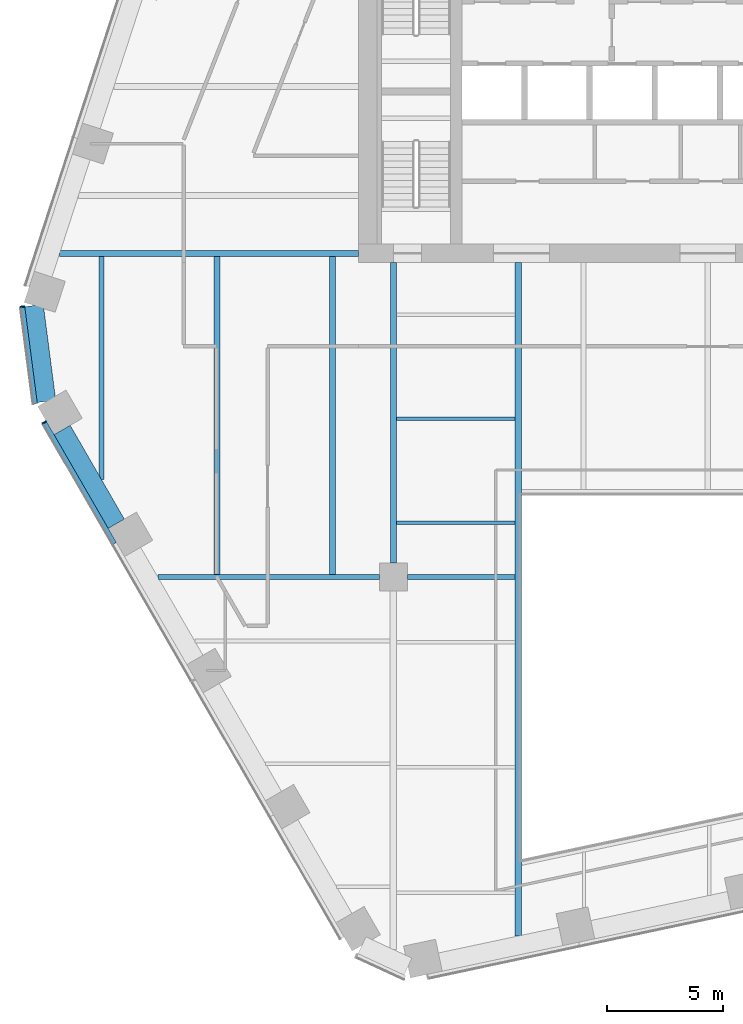
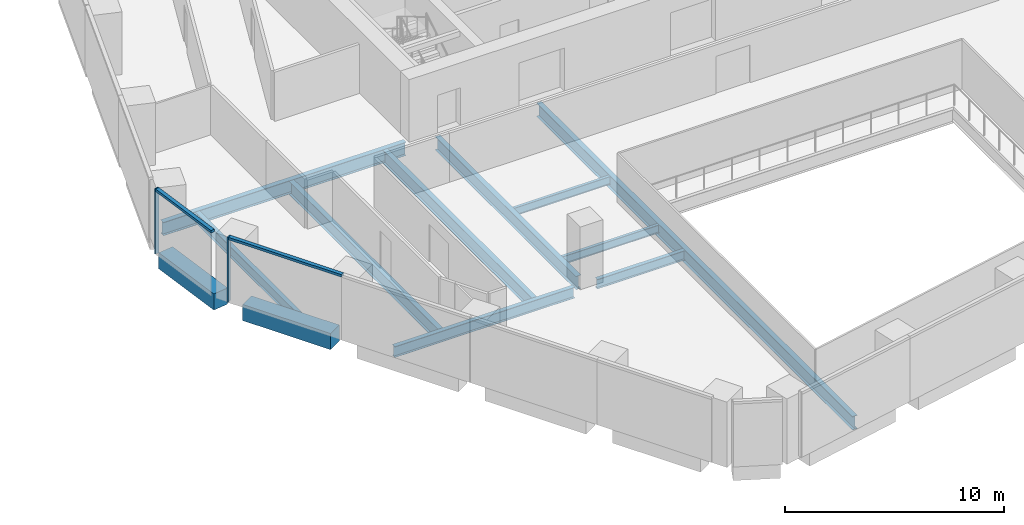
# One storey, part 3 of 16: 12 beams, 4 members, 2 elements without a shape of their own.
"""IFC4 building model written with IfcOpenShell, lengths in metres."""

import ifcopenshell
import ifcopenshell.guid

model = None  # the IFC model being written
_history = None  # IfcOwnerHistory: only IFC2X3 demands one
_inside = {}  # id of a spatial element -> (the spatial element, [elements in it])
_under = {}  # id of a project, library or spatial element -> (it, [spatial elements below it])
_declared = {}  # id of a project -> (the project, [libraries it declares])
_typed = {}  # id of a type object -> (the type object, [elements of that type])
_made_of = {}  # id of a material, layer set ... -> (it, [elements and type objects made of it])


def new_model(schema):
    """Start an empty IFC model of exactly this schema.

    Asked for "IFC4X3", IfcOpenShell would pick the latest addendum, in which some entities
    have other attributes; the version numbers below select the first issue.
    IFC2X3 requires an IfcOwnerHistory on every rooted entity: one is made here for all.
    """
    global model, _history
    if schema == "IFC4X3":
        model = ifcopenshell.file(schema_version=(4, 3, 0, 0))
    else:
        model = ifcopenshell.file(schema=schema)
    _inside.clear()
    _under.clear()
    _declared.clear()
    _typed.clear()
    _made_of.clear()
    _history = None
    if model.schema == "IFC2X3":
        org = make("IfcOrganization", Name="unknown")
        user = make(
            "IfcPersonAndOrganization",
            ThePerson=make("IfcPerson", FamilyName="unknown"),
            TheOrganization=org,
        )
        app = make(
            "IfcApplication",
            ApplicationDeveloper=org,
            Version="unknown",
            ApplicationFullName="unknown",
            ApplicationIdentifier="unknown",
        )
        _history = make(
            "IfcOwnerHistory",
            OwningUser=user,
            OwningApplication=app,
            ChangeAction="ADDED",
            CreationDate=0,
        )
    return model


def make(cls, **values):
    """One entity of the class cls with the attributes given. An attribute that is None is left unset."""
    return model.create_entity(
        cls, **{name: value for name, value in values.items() if value is not None}
    )


def rooted(cls, **values):
    """An entity with a GlobalId (a new one), such as an element, a storey or a relation."""
    return make(cls, GlobalId=ifcopenshell.guid.new(), OwnerHistory=_history, **values)


def si_unit(unit_type, name, prefix=None):
    """IfcSIUnit, for example si_unit("LENGTHUNIT", "METRE", prefix="MILLI")."""
    return make("IfcSIUnit", UnitType=unit_type, Prefix=prefix, Name=name)


def assignment(units):
    """IfcUnitAssignment: the units of a project."""
    return None if units is None else make("IfcUnitAssignment", Units=units)


def point(xyz):
    """IfcCartesianPoint."""
    return None if xyz is None else make("IfcCartesianPoint", Coordinates=xyz)


def direction(xyz):
    """IfcDirection."""
    return None if xyz is None else make("IfcDirection", DirectionRatios=xyz)


def frame(location, z_axis=None, x_axis=None):
    """IfcAxis2Placement3D, a coordinate frame: its origin and axes. An axis left out is left unset."""
    return make(
        "IfcAxis2Placement3D",
        Location=point(location),
        Axis=direction(z_axis),
        RefDirection=direction(x_axis),
    )


def frame_2d(location, x_axis=None):
    """IfcAxis2Placement2D, a coordinate frame in the plane: its origin and x axis."""
    return make(
        "IfcAxis2Placement2D", Location=point(location), RefDirection=direction(x_axis)
    )


def origin():
    """The frame at (0, 0, 0) with its axes left unset."""
    return frame((0.0, 0.0, 0.0))


def origin_2d():
    """The frame at (0, 0) in the plane with its x axis left unset."""
    return frame_2d((0.0, 0.0))


def place(relative_to, where):
    """IfcLocalPlacement: puts the frame where relative to a parent placement (None: the world)."""
    return make(
        "IfcLocalPlacement", PlacementRelTo=relative_to, RelativePlacement=where
    )


def context(
    kind, dimensions, precision=None, world=None, true_north=None, identifier=None
):
    """IfcGeometricRepresentationContext, for example the 3D "Model" context."""
    return make(
        "IfcGeometricRepresentationContext",
        ContextIdentifier=identifier,
        ContextType=kind,
        CoordinateSpaceDimension=dimensions,
        Precision=precision,
        WorldCoordinateSystem=world,
        TrueNorth=true_north,
    )


def subcontext(parent, identifier, kind, view, scale=None):
    """IfcGeometricRepresentationSubContext, for example "Body" below "Model"."""
    return make(
        "IfcGeometricRepresentationSubContext",
        ContextIdentifier=identifier,
        ContextType=kind,
        ParentContext=parent,
        TargetScale=scale,
        TargetView=view,
    )


def project(units=None, contexts=None):
    """IfcProject with its units and contexts."""
    return rooted(
        "IfcProject",
        Name="project",
        RepresentationContexts=contexts,
        UnitsInContext=assignment(units),
    )


def spatial(cls, under=None, at=None, **own):
    """A site, building, storey or space (cls), placed at a placement, below another one or the project."""
    s = rooted(cls, ObjectPlacement=at, **own)
    if under is not None:
        _under.setdefault(under.id(), (under, []))[1].append(s)
    return s


def profile(cls, at=None, kind="AREA", **sizes):
    """A parametric profile (cls). Its sizes go by their IFC names, for example OverallWidth=200.0."""
    return make(cls, ProfileType=kind, Position=at, **sizes)


def rectangle(**sizes):
    """IfcRectangleProfileDef."""
    return profile("IfcRectangleProfileDef", **sizes)


def i_section(**sizes):
    """IfcIShapeProfileDef."""
    return profile("IfcIShapeProfileDef", **sizes)


def extrude(swept, where, along, depth):
    """IfcExtrudedAreaSolid: the profile swept, set in the frame where, extruded along a direction by depth."""
    return make(
        "IfcExtrudedAreaSolid",
        SweptArea=swept,
        Position=where,
        ExtrudedDirection=direction(along),
        Depth=depth,
    )


def shape(context_of_items, identifier, shape_type, items):
    """IfcShapeRepresentation: the items that make up one representation, for example the "Body"."""
    return make(
        "IfcShapeRepresentation",
        ContextOfItems=context_of_items,
        RepresentationIdentifier=identifier,
        RepresentationType=shape_type,
        Items=items,
    )


def material(Name=None, Category=None):
    """IfcMaterial."""
    return make("IfcMaterial", Name=Name, Category=Category)


def layer(
    of_material, thickness, ventilated=None, Name=None, Category=None, Priority=None
):
    """IfcMaterialLayer: one layer of a wall or slab, of a material (None: an air gap)."""
    return make(
        "IfcMaterialLayer",
        Material=of_material,
        LayerThickness=thickness,
        IsVentilated=ventilated,
        Name=Name,
        Category=Category,
        Priority=Priority,
    )


def layer_set(layers, Name=None):
    """IfcMaterialLayerSet."""
    return make("IfcMaterialLayerSet", MaterialLayers=layers, LayerSetName=Name)


def material_profile(
    of_material, cross_section, Name=None, Category=None, Priority=None
):
    """IfcMaterialProfile: a cross section and its material."""
    return make(
        "IfcMaterialProfile",
        Name=Name,
        Material=of_material,
        Profile=cross_section,
        Priority=Priority,
        Category=Category,
    )


def profile_set(profiles, Name=None, composite=None):
    """IfcMaterialProfileSet."""
    return make(
        "IfcMaterialProfileSet",
        Name=Name,
        MaterialProfiles=profiles,
        CompositeProfile=composite,
    )


def made_of(thing, what):
    """Note that an element or type object is made of a material, layer set ...; save() writes the relation."""
    if what is not None:
        _made_of.setdefault(what.id(), (what, []))[1].append(thing)
    return thing


def type_object(cls, material=None, **own):
    """A type object (cls), such as IfcWallType, which elements share."""
    return made_of(rooted(cls, **own), material)


def element(
    cls,
    number,
    at=None,
    inside=None,
    cuts=None,
    type_object=None,
    material=None,
    context=None,
    identifier="Body",
    shape_type=None,
    held_by="IfcProductDefinitionShape",
    body=None,
    shapes=None,
    **own,
):
    """One element of the class cls, such as IfcWall. Its Tag is "e" and its number.

    at: its placement. inside: the storey or other place that contains it. cuts: it is an
    opening in that element (IfcRelVoidsElement). A single representation is given by context,
    identifier, shape_type and body (its items); several are given by shapes. held_by: the class
    of the entity that holds the representations. save() writes the other relations.
    """
    e = rooted(cls, Tag="e%d" % number, ObjectPlacement=at, **own)
    if body is not None:
        shapes = [shape(context, identifier, shape_type, body)]
    if shapes is not None:
        e.Representation = make(held_by, Representations=shapes)
    if inside is not None:
        _inside.setdefault(inside.id(), (inside, []))[1].append(e)
    if cuts is not None:
        rooted(
            "IfcRelVoidsElement", RelatingBuildingElement=cuts, RelatedOpeningElement=e
        )
    if type_object is not None:
        _typed.setdefault(type_object.id(), (type_object, []))[1].append(e)
    return made_of(e, material)


def aggregate(whole, parts):
    """IfcRelAggregates: a whole, such as a stair, and the parts it consists of."""
    return rooted("IfcRelAggregates", RelatingObject=whole, RelatedObjects=parts)


def save(model, path):
    """Write the relations noted so far, then the file.

    IfcRelAggregates (storeys below a building ...), IfcRelContainedInSpatialStructure (elements
    in a storey), IfcRelDefinesByType, IfcRelAssociatesMaterial and IfcRelDeclares: one each for
    every whole, place, type object, material and project.
    """
    for whole, parts in _under.values():
        aggregate(whole, parts)
    for where, things in _inside.values():
        rooted(
            "IfcRelContainedInSpatialStructure",
            RelatedElements=things,
            RelatingStructure=where,
        )
    for kind, things in _typed.values():
        rooted("IfcRelDefinesByType", RelatedObjects=things, RelatingType=kind)
    for what, things in _made_of.values():
        rooted("IfcRelAssociatesMaterial", RelatedObjects=things, RelatingMaterial=what)
    for by, libraries in _declared.values():
        rooted("IfcRelDeclares", RelatingContext=by, RelatedDefinitions=libraries)
    model.write(path)


model = new_model("IFC4")

# Units and contexts
model_context = context("Model", 3, precision=1e-05, world=origin(), true_north=direction((0.0, 1.0)))
body_context = subcontext(model_context, "Body", "Model", "MODEL_VIEW")
ifc_project = project(units=[si_unit("LENGTHUNIT", "METRE"), si_unit("AREAUNIT", "SQUARE_METRE"), si_unit("VOLUMEUNIT", "CUBIC_METRE"), si_unit("PLANEANGLEUNIT", "RADIAN"), si_unit("MASSUNIT", "GRAM", prefix="KILO")], contexts=[model_context])

# Site, building, storey
site_placement = place(None, origin())
site = spatial("IfcSite", under=ifc_project, at=site_placement, CompositionType="ELEMENT")
building_placement = place(site_placement, origin())
building = spatial("IfcBuilding", under=site, at=building_placement, Name="Isthmus Gate Tower", CompositionType="ELEMENT")
storey_placement = place(building_placement, frame((0.0, 0.0, 133.449951171875)))
storey = spatial("IfcBuildingStorey", under=building, at=storey_placement, Name="L32", CompositionType="ELEMENT", Elevation=133.449951171875)

# Curtain wall, member
ifc_material_1 = material(Name="Aluminium, pale champagne anodised", Category="aluminium")
ifc_layer = layer(ifc_material_1, 0.199951171875)
ifc_layer_set = layer_set([ifc_layer], Name="CW-1 UNITISED CURTAIN WALL 200 DEEP")
curtain_wall_type = type_object("IfcCurtainWallType", Name="CW-1 UNITISED CURTAIN WALL 200 DEEP", PredefinedType="NOTDEFINED", material=ifc_layer_set)
curtain_wall_1_placement = place(storey_placement, origin())
curtain_wall_1 = element("IfcCurtainWall", 1, at=curtain_wall_1_placement, inside=storey, type_object=curtain_wall_type, Name="CW-1 NW-SW L32", PredefinedType="NOTDEFINED")
ifc_material_2 = material(Name="Aluminium, pale champagne anodised", Category="aluminium")
ifc_material_profile_1 = material_profile(ifc_material_2, rectangle(XDim=0.06005859375, YDim=0.199951171875, at=origin_2d()), Name="60x200")
ifc_profile_set_1 = profile_set([ifc_material_profile_1], Name="Aluminium, pale champagne anodised")
member_type_1 = type_object("IfcMemberType", Name="CW-1 MULLION 60 X 200", PredefinedType="MULLION", material=ifc_profile_set_1)
member_1_placement = place(storey_placement, frame((-29.42724609375, -1.88525390625, 0.0), z_axis=(0.0, 0.0, 1.0), x_axis=(0.129164534, -0.991623175988, 0.0)))
member_1 = element("IfcMember", 2, at=member_1_placement, type_object=member_type_1, Name="CW-1 mullion", PredefinedType="MULLION", context=body_context, shape_type="SweptSolid", body=[
    extrude(rectangle(XDim=0.06005859375, YDim=0.199951171875, at=origin_2d()), origin(), (0.0, 0.0, 1.0), 3.650146484375),
])

curtain_wall_2_placement = place(storey_placement, origin())
curtain_wall_2 = element("IfcCurtainWall", 3, at=curtain_wall_2_placement, inside=storey, type_object=curtain_wall_type, Name="CW-1 SW L32", PredefinedType="NOTDEFINED")
member_2_placement = place(storey_placement, frame((-28.489501953125, -6.8544921875, 0.0), z_axis=(0.0, 0.0, 1.0), x_axis=(0.5, -0.866025403784, 0.0)))
member_2 = element("IfcMember", 4, at=member_2_placement, type_object=member_type_1, Name="CW-1 mullion", PredefinedType="MULLION", context=body_context, shape_type="SweptSolid", body=[
    extrude(rectangle(XDim=0.06005859375, YDim=0.199951171875, at=origin_2d()), origin(), (0.0, 0.0, 1.0), 3.650146484375),
])

# Member
ifc_material_3 = material(Name="Aluminium, pale champagne anodised", Category="aluminium")
ifc_material_profile_2 = material_profile(ifc_material_3, rectangle(XDim=0.199951171875, YDim=0.139892578125, at=origin_2d()), Name="200x140")
ifc_profile_set_2 = profile_set([ifc_material_profile_2], Name="Aluminium, pale champagne anodised")
member_type_2 = type_object("IfcMemberType", Name="CW-1 TRANSOM 200 X 140", PredefinedType="USERDEFINED", material=ifc_profile_set_2)
member_3_placement = place(storey_placement, frame((-29.42333984375, -1.9150390625, 3.580078125), z_axis=(0.129149481977, -0.991625136483, 0.0), x_axis=(0.991625136483, 0.129149481977, 0.0)))
member_3 = element("IfcMember", 5, at=member_3_placement, type_object=member_type_2, Name="CW-1 transom", ObjectType="TRANSOM", PredefinedType="USERDEFINED", context=body_context, shape_type="SweptSolid", body=[
    extrude(rectangle(XDim=0.199951171875, YDim=0.139892578125, at=origin_2d()), origin(), (0.0, 0.0, 1.0), 4.181396484375),
])

aggregate(curtain_wall_1, [member_1, member_3])

member_4_placement = place(storey_placement, frame((-28.474609375, -6.880615234375, 3.580078125), z_axis=(0.500014106551, -0.86601725921, 0.0), x_axis=(0.86601725921, 0.500014106551, 0.0)))
member_4 = element("IfcMember", 6, at=member_4_placement, type_object=member_type_2, Name="CW-1 transom", ObjectType="TRANSOM", PredefinedType="USERDEFINED", context=body_context, shape_type="SweptSolid", body=[
    extrude(rectangle(XDim=0.199951171875, YDim=0.139892578125, at=origin_2d()), origin(), (0.0, 0.0, 1.0), 5.989990234375),
])

aggregate(curtain_wall_2, [member_2, member_4])

# Beams
ifc_material_4 = material(Name="Concrete f'c 60 MPa", Category="concrete")
ifc_material_profile_3 = material_profile(ifc_material_4, rectangle(XDim=0.800048828125, YDim=0.89990234375, at=origin_2d()), Name="RC 800X900")
ifc_profile_set_3 = profile_set([ifc_material_profile_3], Name="Concrete f'c 60 MPa")
beam_type_1 = type_object("IfcBeamType", Name="RC SPANDREL 800 X 900", PredefinedType="SPANDREL", material=ifc_profile_set_3)
beam_1_placement = place(storey_placement, frame((-25.396484375, -11.2119140625, -0.449951171875), z_axis=(-0.500023913295, 0.866011596997, 0.0), x_axis=(-0.866011596997, -0.500023913295, 0.0)))
element("IfcBeam", 7, at=beam_1_placement, inside=storey, type_object=beam_type_1, Name="str-spandrel-L32-19", PredefinedType="SPANDREL", context=body_context, shape_type="SweptSolid", body=[
    extrude(rectangle(XDim=0.800048828125, YDim=0.89990234375, at=origin_2d()), origin(), (0.0, 0.0, 1.0), 4.650146484375),
])
beam_2_placement = place(storey_placement, frame((-28.392822265625, -5.955810546875, -0.449951171875), z_axis=(-0.129170777359, 0.991622362735, 0.0), x_axis=(-0.991622362735, -0.129170777359, 0.0)))
element("IfcBeam", 8, at=beam_2_placement, inside=storey, type_object=beam_type_1, Name="str-spandrel-L32-20", PredefinedType="SPANDREL", context=body_context, shape_type="SweptSolid", body=[
    extrude(rectangle(XDim=0.800048828125, YDim=0.89990234375, at=origin_2d()), origin(), (0.0, 0.0, 1.0), 4.15234375),
])
ifc_material_5 = material(Name="Structural steel ASTM A992 Gr 50", Category="steel")
ifc_material_profile_4 = material_profile(ifc_material_5, i_section(OverallWidth=0.15234375, OverallDepth=0.45068359375, WebThickness=0.0078125, FlangeThickness=0.010986328125, at=origin_2d()), Name="W18X35")
ifc_profile_set_4 = profile_set([ifc_material_profile_4], Name="Structural steel ASTM A992 Gr 50")
beam_type_2 = type_object("IfcBeamType", Name="STEEL FLOOR BEAM W18X35", PredefinedType="JOIST", material=ifc_profile_set_4)
for number, where, z_axis, x_axis, name in (
    (9, (-13.3681640625, -11.16259765625, -0.375244140625), (1.0, 0.0, 0.0), (0.0, 1.0, 0.0), "str-beam-L32-04-00"),
    (10, (-13.3681640625, -6.697509765625, -0.375244140625), (1.0, 0.0, 0.0), (0.0, 1.0, 0.0), "str-beam-L32-04-01"),
):
    element("IfcBeam", number, at=place(storey_placement, frame(where, z_axis=z_axis, x_axis=x_axis)), inside=storey, type_object=beam_type_2, Name=name, PredefinedType="JOIST", context=body_context, shape_type="SweptSolid", body=[
        extrude(i_section(OverallWidth=0.15234375, OverallDepth=0.45068359375, WebThickness=0.0078125, FlangeThickness=0.010986328125, at=origin_2d()), origin(), (0.0, 0.0, 1.0), 5.1015625),
    ])
ifc_material_6 = material(Name="Structural steel ASTM A992 Gr 50", Category="steel")
ifc_material_profile_5 = material_profile(ifc_material_6, i_section(OverallWidth=0.228515625, OverallDepth=0.603271484375, WebThickness=0.010986328125, FlangeThickness=0.014404296875, at=origin_2d()), Name="W24X68")
ifc_profile_set_5 = profile_set([ifc_material_profile_5], Name="Structural steel ASTM A992 Gr 50")
beam_type_3 = type_object("IfcBeamType", Name="STEEL FLOOR BEAM W24X68", PredefinedType="JOIST", material=ifc_profile_set_5)
beam_3_placement = place(storey_placement, frame((-26.028564453125, -9.317138671875, -0.45166015625), z_axis=(0.0, 1.0, 0.0), x_axis=(-1.0, 0.0, 0.0)))
element("IfcBeam", 11, at=beam_3_placement, inside=storey, type_object=beam_type_3, Name="str-beam-L32-00-00", PredefinedType="JOIST", context=body_context, shape_type="SweptSolid", body=[
    extrude(i_section(OverallWidth=0.228515625, OverallDepth=0.603271484375, WebThickness=0.010986328125, FlangeThickness=0.014404296875, at=origin_2d()), origin(), (0.0, 0.0, 1.0), 9.58544921875),
])
ifc_material_7 = material(Name="Structural steel ASTM A992 Gr 50", Category="steel")
ifc_material_profile_6 = material_profile(ifc_material_7, i_section(OverallWidth=0.263427734375, OverallDepth=0.749267578125, WebThickness=0.0126953125, FlangeThickness=0.015869140625, at=origin_2d()), Name="W30X90")
ifc_profile_set_6 = profile_set([ifc_material_profile_6], Name="Structural steel ASTM A992 Gr 50")
beam_type_4 = type_object("IfcBeamType", Name="STEEL FLOOR BEAM W30X90", PredefinedType="JOIST", material=ifc_profile_set_6)
for number, where, z_axis, x_axis, name in (
    (12, (-21.06982421875, -13.3857421875, -0.524658203125), (0.0, 1.0, 0.0), (-1.0, 0.0, 0.0), "str-beam-L32-00-01"),
    (13, (-16.111083984375, -13.3857421875, -0.524658203125), (0.0, 1.0, 0.0), (-1.0, 0.0, 0.0), "str-beam-L32-00-02"),
):
    element("IfcBeam", number, at=place(storey_placement, frame(where, z_axis=z_axis, x_axis=x_axis)), inside=storey, type_object=beam_type_4, Name=name, PredefinedType="JOIST", context=body_context, shape_type="SweptSolid", body=[
        extrude(i_section(OverallWidth=0.263427734375, OverallDepth=0.749267578125, WebThickness=0.0126953125, FlangeThickness=0.015869140625, at=origin_2d()), origin(), (0.0, 0.0, 1.0), 13.654052734375),
    ])
ifc_material_8 = material(Name="Structural steel ASTM A992 Gr 50", Category="steel")
ifc_material_profile_7 = material_profile(ifc_material_8, i_section(OverallWidth=0.20947265625, OverallDepth=0.533447265625, WebThickness=0.009521484375, FlangeThickness=0.015869140625, at=origin_2d()), Name="W21X62")
ifc_profile_set_7 = profile_set([ifc_material_profile_7], Name="Structural steel ASTM A992 Gr 50")
beam_type_5 = type_object("IfcBeamType", Name="STEEL GIRDER W21X62", PredefinedType="BEAM", material=ifc_profile_set_7)
beam_4_placement = place(storey_placement, frame((-12.89990234375, -13.5, -0.416748046875), z_axis=(1.0, 0.0, 0.0), x_axis=(0.0, 1.0, 0.0)))
element("IfcBeam", 14, at=beam_4_placement, inside=storey, type_object=beam_type_5, Name="str-girder-L32-02", PredefinedType="BEAM", context=body_context, shape_type="SweptSolid", body=[
    extrude(i_section(OverallWidth=0.20947265625, OverallDepth=0.533447265625, WebThickness=0.009521484375, FlangeThickness=0.015869140625, at=origin_2d()), origin(), (0.0, 0.0, 1.0), 4.63330078125),
])
ifc_material_9 = material(Name="Structural steel ASTM A992 Gr 50", Category="steel")
ifc_material_profile_8 = material_profile(ifc_material_9, i_section(OverallWidth=0.228515625, OverallDepth=0.6064453125, WebThickness=0.010986328125, FlangeThickness=0.017578125, at=origin_2d()), Name="W24X76")
ifc_profile_set_8 = profile_set([ifc_material_profile_8], Name="Structural steel ASTM A992 Gr 50")
beam_type_6 = type_object("IfcBeamType", Name="STEEL GIRDER W24X76", PredefinedType="BEAM", material=ifc_profile_set_8)
beam_5_placement = place(storey_placement, frame((-23.613525390625, -13.5, -0.453125), z_axis=(1.0, 0.0, 0.0), x_axis=(0.0, 1.0, 0.0)))
element("IfcBeam", 15, at=beam_5_placement, inside=storey, type_object=beam_type_6, Name="str-girder-L32-01", PredefinedType="BEAM", context=body_context, shape_type="SweptSolid", body=[
    extrude(i_section(OverallWidth=0.228515625, OverallDepth=0.6064453125, WebThickness=0.010986328125, FlangeThickness=0.017578125, at=origin_2d()), origin(), (0.0, 0.0, 1.0), 9.513427734375),
])
ifc_material_10 = material(Name="Structural steel ASTM A992 Gr 50", Category="steel")
ifc_material_profile_9 = material_profile(ifc_material_10, i_section(OverallWidth=0.263427734375, OverallDepth=0.749267578125, WebThickness=0.0126953125, FlangeThickness=0.015869140625, at=origin_2d()), Name="W30X90")
ifc_profile_set_9 = profile_set([ifc_material_profile_9], Name="Structural steel ASTM A992 Gr 50")
beam_type_7 = type_object("IfcBeamType", Name="STEEL GIRDER W30X90", PredefinedType="BEAM", material=ifc_profile_set_9)
beam_6_placement = place(storey_placement, frame((-13.5, -12.89990234375, -0.524658203125), z_axis=(0.0, 1.0, 0.0), x_axis=(-1.0, 0.0, 0.0)))
element("IfcBeam", 16, at=beam_6_placement, inside=storey, type_object=beam_type_7, Name="str-girder-L32-08", PredefinedType="BEAM", context=body_context, shape_type="SweptSolid", body=[
    extrude(i_section(OverallWidth=0.263427734375, OverallDepth=0.749267578125, WebThickness=0.0126953125, FlangeThickness=0.015869140625, at=origin_2d()), origin(), (0.0, 0.0, 1.0), 12.89990234375),
])
beam_7_placement = place(storey_placement, frame((-15.0, 0.39990234375, -0.524658203125), z_axis=(-1.0, 0.0, 0.0), x_axis=(0.0, -1.0, 0.0)))
element("IfcBeam", 17, at=beam_7_placement, inside=storey, type_object=beam_type_7, Name="str-girder-L32-13", PredefinedType="BEAM", context=body_context, shape_type="SweptSolid", body=[
    extrude(i_section(OverallWidth=0.263427734375, OverallDepth=0.749267578125, WebThickness=0.0126953125, FlangeThickness=0.015869140625, at=origin_2d()), origin(), (0.0, 0.0, 1.0), 12.826416015625),
])
ifc_material_11 = material(Name="Structural steel ASTM A992 Gr 50", Category="steel")
ifc_material_profile_10 = material_profile(ifc_material_11, i_section(OverallWidth=0.2666015625, OverallDepth=0.7587890625, WebThickness=0.014404296875, FlangeThickness=0.01904296875, at=origin_2d()), Name="W30X108")
ifc_profile_set_10 = profile_set([ifc_material_profile_10], Name="Structural steel ASTM A992 Gr 50")
beam_type_8 = type_object("IfcBeamType", Name="STEEL TRIMMER W30X108", PredefinedType="BEAM", material=ifc_profile_set_10)
beam_8_placement = place(storey_placement, frame((-8.13330078125, 0.0, -0.529296875), z_axis=(0.0, -1.0, 0.0), x_axis=(1.0, 0.0, 0.0)))
element("IfcBeam", 18, at=beam_8_placement, inside=storey, type_object=beam_type_8, Name="str-trimmer-L32-02", PredefinedType="BEAM", context=body_context, shape_type="SweptSolid", body=[
    extrude(i_section(OverallWidth=0.2666015625, OverallDepth=0.7587890625, WebThickness=0.014404296875, FlangeThickness=0.01904296875, at=origin_2d()), origin(), (0.0, 0.0, 1.0), 28.910888671875),
])

save(model, "model.ifc")
